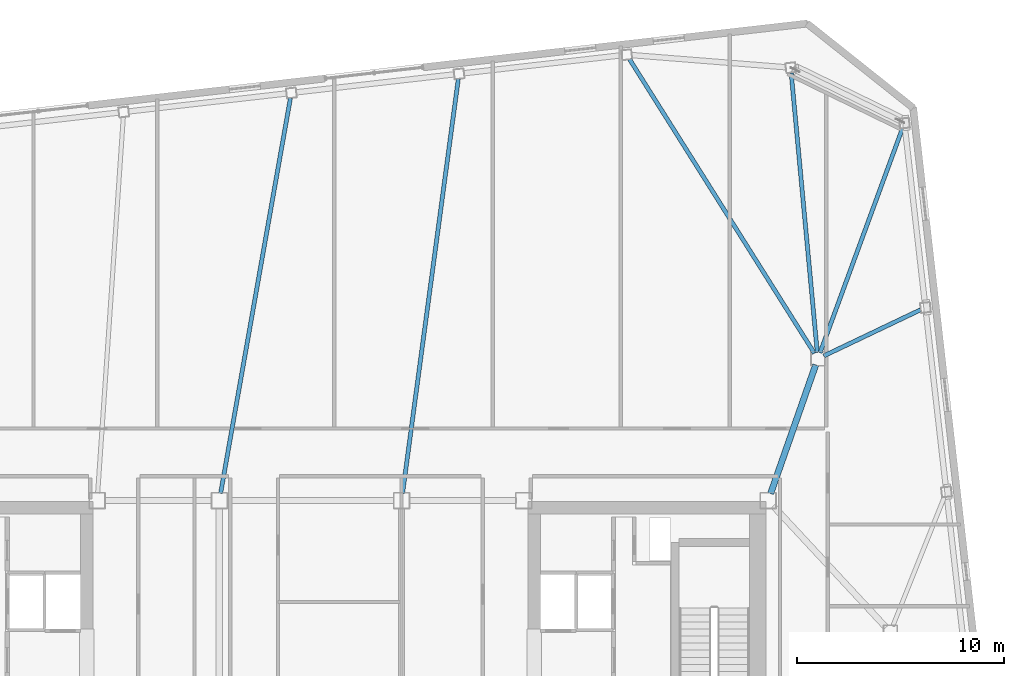
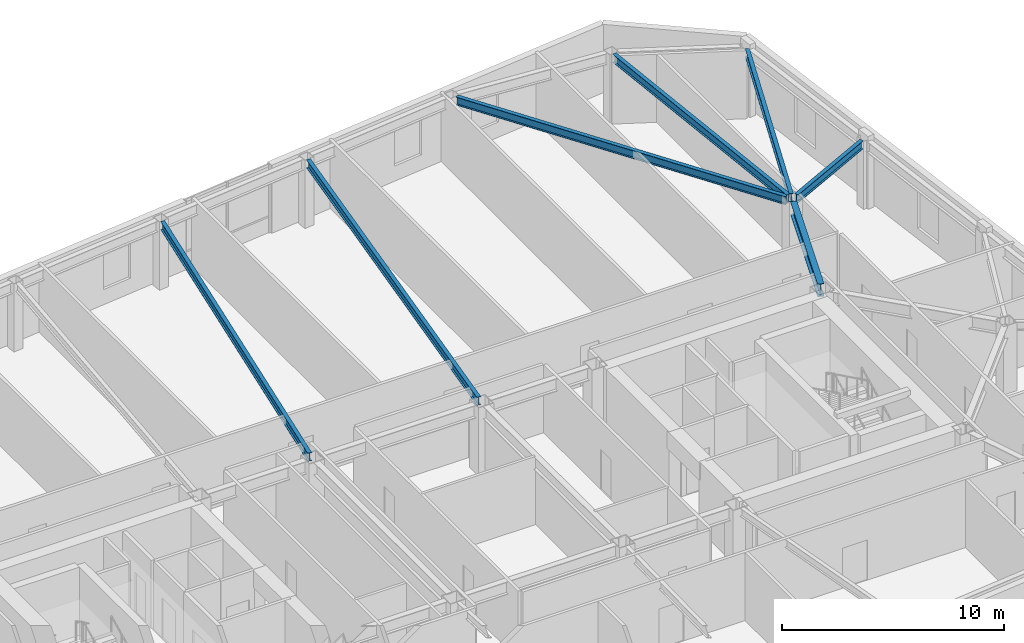
# One storey, part 9 of 19: 7 beams.
"""IFC4 building model written with IfcOpenShell, lengths in metres."""

from ifc_helpers import new_model, si_unit, direction, frame, origin, origin_2d, place, context, subcontext, project, spatial, i_section, extrude, material, material_profile, profile_set, type_object, element, save


model = new_model("IFC4")

# Units and contexts
model_context = context("Model", 3, precision=1e-05, world=origin(), true_north=direction((0.0, 1.0)))
body_context = subcontext(model_context, "Body", "Model", "MODEL_VIEW")
ifc_project = project(units=[si_unit("LENGTHUNIT", "METRE"), si_unit("AREAUNIT", "SQUARE_METRE"), si_unit("VOLUMEUNIT", "CUBIC_METRE"), si_unit("PLANEANGLEUNIT", "RADIAN"), si_unit("MASSUNIT", "GRAM", prefix="KILO")], contexts=[model_context])

# Site, building, storey
site_placement = place(None, origin())
site = spatial("IfcSite", under=ifc_project, at=site_placement, CompositionType="ELEMENT")
building_placement = place(site_placement, origin())
building = spatial("IfcBuilding", under=site, at=building_placement, Name="Tavrogorsk Clinical Tower", CompositionType="ELEMENT")
storey_placement = place(building_placement, frame((0.0, 0.0, 255.0)))
storey = spatial("IfcBuildingStorey", under=building, at=storey_placement, Name="L59", CompositionType="ELEMENT", Elevation=255.0)

# Beams
ifc_material_1 = material(Name="Structural steel S355", Category="steel")
ifc_material_profile_1 = material_profile(ifc_material_1, i_section(OverallWidth=0.199951171875, OverallDepth=0.449951171875, WebThickness=0.011474609375, FlangeThickness=0.01806640625, at=origin_2d()), Name="B-450x200x11.5x18")
ifc_profile_set_1 = profile_set([ifc_material_profile_1], Name="Structural steel S355")
beam_type_1 = type_object("IfcBeamType", Name="FloorBeam_B450", PredefinedType="BEAM", material=ifc_profile_set_1)
beam_1_placement = place(storey_placement, frame((24.47119140625, 13.508544921875, 3.514892578125), z_axis=(-0.092940409745, 0.99567167291, 0.0), x_axis=(-0.99567167291, -0.092940409745, 0.0)))
element("IfcBeam", 1, at=beam_1_placement, inside=storey, type_object=beam_type_1, Name="L59 Radial Floor Beam N1", PredefinedType="BEAM", context=body_context, shape_type="SweptSolid", body=[
    extrude(i_section(OverallWidth=0.199951171875, OverallDepth=0.449951171875, WebThickness=0.011474609375, FlangeThickness=0.01806640625, at=origin_2d()), origin(), (0.0, 0.0, 1.0), 13.546630859375),
])
beam_2_placement = place(storey_placement, frame((24.3349609375, 13.46240234375, 3.514892578125), z_axis=(-0.53234144439, 0.84652973166, 0.0), x_axis=(-0.84652973166, -0.53234144439, 0.0)))
element("IfcBeam", 2, at=beam_2_placement, inside=storey, type_object=beam_type_1, Name="L59 Radial Floor Beam N2", PredefinedType="BEAM", context=body_context, shape_type="SweptSolid", body=[
    extrude(i_section(OverallWidth=0.199951171875, OverallDepth=0.449951171875, WebThickness=0.011474609375, FlangeThickness=0.01806640625, at=origin_2d()), origin(), (0.0, 0.0, 1.0), 16.7734375),
])
beam_3_placement = place(storey_placement, frame((4.447998046875, 6.706787109375, 3.514892578125), z_axis=(0.133328812355, 0.991071858039, 0.0), x_axis=(-0.991071858039, 0.133328812355, 0.0)))
element("IfcBeam", 3, at=beam_3_placement, inside=storey, type_object=beam_type_1, Name="L59 Radial Floor Beam N3", PredefinedType="BEAM", context=body_context, shape_type="SweptSolid", body=[
    extrude(i_section(OverallWidth=0.199951171875, OverallDepth=0.449951171875, WebThickness=0.011474609375, FlangeThickness=0.01806640625, at=origin_2d()), origin(), (0.0, 0.0, 1.0), 20.17529296875),
])
beam_4_placement = place(storey_placement, frame((-4.33740234375, 6.70458984375, 3.514892578125), z_axis=(0.173894614236, 0.984764267802, 0.0), x_axis=(-0.984764267802, 0.173894614236, 0.0)))
element("IfcBeam", 4, at=beam_4_placement, inside=storey, type_object=beam_type_1, Name="L59 Radial Floor Beam N4", PredefinedType="BEAM", context=body_context, shape_type="SweptSolid", body=[
    extrude(i_section(OverallWidth=0.199951171875, OverallDepth=0.449951171875, WebThickness=0.011474609375, FlangeThickness=0.01806640625, at=origin_2d()), origin(), (0.0, 0.0, 1.0), 19.371826171875),
])
beam_5_placement = place(storey_placement, frame((24.77978515625, 13.333251953125, 3.514892578125), z_axis=(0.90270896244, 0.43025170439, 0.0), x_axis=(-0.43025170439, 0.90270896244, 0.0)))
element("IfcBeam", 5, at=beam_5_placement, inside=storey, type_object=beam_type_1, Name="L59 Radial Floor Beam E4", PredefinedType="BEAM", context=body_context, shape_type="SweptSolid", body=[
    extrude(i_section(OverallWidth=0.199951171875, OverallDepth=0.449951171875, WebThickness=0.011474609375, FlangeThickness=0.01806640625, at=origin_2d()), origin(), (0.0, 0.0, 1.0), 5.182861328125),
])
beam_6_placement = place(storey_placement, frame((24.60693359375, 13.490966796875, 3.514892578125), z_axis=(0.34467380093, 0.938722520744, 0.0), x_axis=(-0.938722520744, 0.34467380093, 0.0)))
element("IfcBeam", 6, at=beam_6_placement, inside=storey, type_object=beam_type_1, Name="L59 Radial Floor Beam E5", PredefinedType="BEAM", context=body_context, shape_type="SweptSolid", body=[
    extrude(i_section(OverallWidth=0.199951171875, OverallDepth=0.449951171875, WebThickness=0.011474609375, FlangeThickness=0.01806640625, at=origin_2d()), origin(), (0.0, 0.0, 1.0), 11.55126953125),
])
ifc_material_2 = material(Name="Structural steel S390", Category="steel")
ifc_material_profile_2 = material_profile(ifc_material_2, i_section(OverallWidth=0.300048828125, OverallDepth=0.699951171875, WebThickness=0.01708984375, FlangeThickness=0.028076171875, at=origin_2d()), Name="B-700x300x17x28")
ifc_profile_set_2 = profile_set([ifc_material_profile_2], Name="Structural steel S390")
beam_type_2 = type_object("IfcBeamType", Name="PrimaryGirder_B700", PredefinedType="USERDEFINED", material=ifc_profile_set_2)
beam_7_placement = place(storey_placement, frame((24.3974609375, 12.907470703125, 3.389892578125), z_axis=(-0.330654121425, -0.943752007672, 0.0), x_axis=(0.943752007672, -0.330654121425, 0.0)))
element("IfcBeam", 7, at=beam_7_placement, inside=storey, type_object=beam_type_2, Name="L59 Spine Link Girder OPG-4", ObjectType="GIRDER", PredefinedType="USERDEFINED", context=body_context, shape_type="SweptSolid", body=[
    extrude(i_section(OverallWidth=0.300048828125, OverallDepth=0.699951171875, WebThickness=0.01708984375, FlangeThickness=0.028076171875, at=origin_2d()), origin(), (0.0, 0.0, 1.0), 6.58837890625),
])

save(model, "model.ifc")
